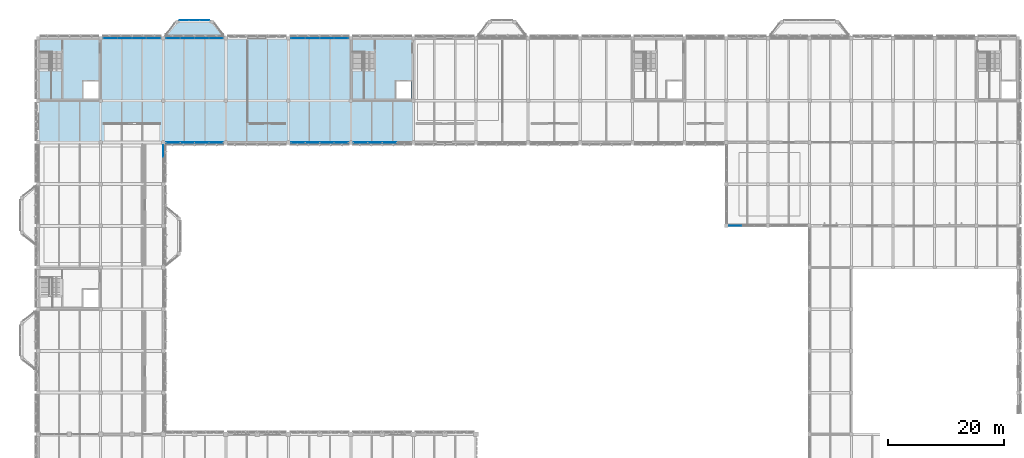
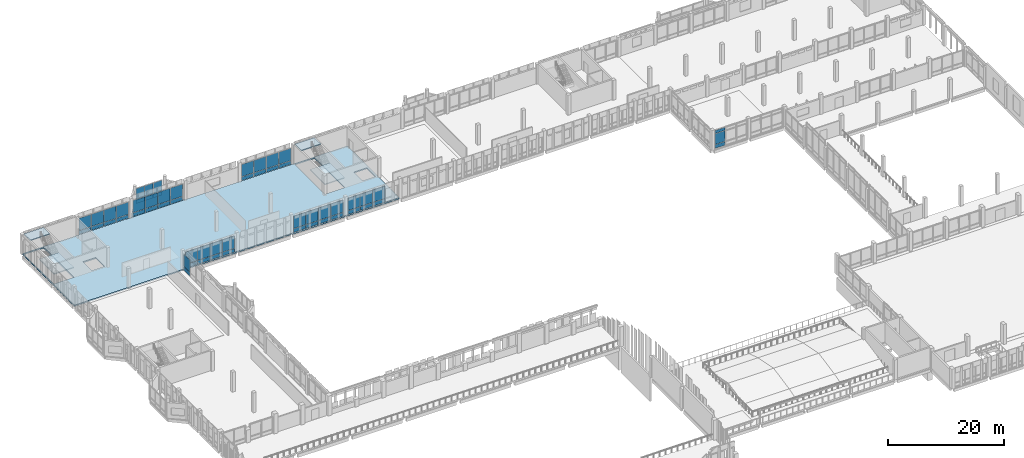
# One storey, part 123 of 158: 57 plates, 6 slabs, 11 elements without a shape of their own.
"""IFC4 building model written with IfcOpenShell, lengths in metres."""

from ifc_helpers import new_model, si_unit, direction, frame, origin, origin_2d, place, context, subcontext, project, spatial, polyline, rectangle, outline, extrude, material, layer, layer_set, type_object, element, aggregate, save


model = new_model("IFC4")

# Units and contexts
model_context = context("Model", 3, precision=1e-05, world=origin(), true_north=direction((0.0, 1.0)))
body_context = subcontext(model_context, "Body", "Model", "MODEL_VIEW")
ifc_project = project(units=[si_unit("LENGTHUNIT", "METRE"), si_unit("AREAUNIT", "SQUARE_METRE"), si_unit("VOLUMEUNIT", "CUBIC_METRE"), si_unit("PLANEANGLEUNIT", "RADIAN"), si_unit("MASSUNIT", "GRAM", prefix="KILO")], contexts=[model_context])

# Site, building, storey
site_placement = place(None, origin())
site = spatial("IfcSite", under=ifc_project, at=site_placement, CompositionType="ELEMENT")
building_placement = place(site_placement, origin())
building = spatial("IfcBuilding", under=site, at=building_placement, Name="Lusvemor Sports Hall", CompositionType="ELEMENT")
storey_placement = place(building_placement, frame((0.0, 0.0, 10.800048828125)))
storey = spatial("IfcBuildingStorey", under=building, at=storey_placement, Name="L02", CompositionType="ELEMENT", Elevation=10.800048828125)

# Curtain wall, plates
ifc_material_1 = material(Name="Thermally broken bronze-anodized aluminium", Category="aluminium")
curtain_wall_type_1 = type_object("IfcCurtainWallType", Name="CW_WING_B", PredefinedType="NOTDEFINED", material=ifc_material_1)
curtain_wall_1_placement = place(storey_placement, origin())
curtain_wall_1 = element("IfcCurtainWall", 1, at=curtain_wall_1_placement, inside=storey, type_object=curtain_wall_type_1, Name="Curtain Wall CW-L02-N-1-1", PredefinedType="NOTDEFINED")
ifc_material_2 = material(Name="Solar-control laminated double glazing", Category="glass")
ifc_layer_1 = layer(ifc_material_2, 0.028076171875)
ifc_layer_set_1 = layer_set([ifc_layer_1], Name="Solar-control laminated double glazing")
plate_type_1 = type_object("IfcPlateType", Name="CW_PAN_GLZ_28", PredefinedType="CURTAIN_PANEL", material=ifc_layer_set_1)
plate_1_placement = place(storey_placement, frame((12.481201171875, 115.199951171875, 0.8798828125), z_axis=(0.0, 0.0, 1.0), x_axis=(1.0, 0.0, 0.0)))
plate_1 = element("IfcPlate", 2, at=plate_1_placement, type_object=plate_type_1, Name="CW02 panel 1.2", PredefinedType="CURTAIN_PANEL", context=body_context, shape_type="SweptSolid", body=[
    extrude(rectangle(XDim=2.392578125, YDim=0.028076171875, at=origin_2d()), origin(), (0.0, 0.0, 1.0), 2.580078125),
])
plate_2_placement = place(storey_placement, frame((14.955078125, 115.199951171875, 0.8798828125), z_axis=(0.0, 0.0, 1.0), x_axis=(1.0, 0.0, 0.0)))
plate_2 = element("IfcPlate", 3, at=plate_2_placement, type_object=plate_type_1, Name="CW02 panel 2.2", PredefinedType="CURTAIN_PANEL", context=body_context, shape_type="SweptSolid", body=[
    extrude(rectangle(XDim=2.425048828125, YDim=0.028076171875, at=origin_2d()), origin(), (0.0, 0.0, 1.0), 2.580078125),
])
plate_3_placement = place(storey_placement, frame((17.445068359375, 115.199951171875, 0.8798828125), z_axis=(0.0, 0.0, 1.0), x_axis=(1.0, 0.0, 0.0)))
plate_3 = element("IfcPlate", 4, at=plate_3_placement, type_object=plate_type_1, Name="CW02 panel 3.2", PredefinedType="CURTAIN_PANEL", context=body_context, shape_type="SweptSolid", body=[
    extrude(rectangle(XDim=2.425048828125, YDim=0.028076171875, at=origin_2d()), origin(), (0.0, 0.0, 1.0), 2.580078125),
])
plate_4_placement = place(storey_placement, frame((19.918701171875, 115.199951171875, 0.8798828125), z_axis=(0.0, 0.0, 1.0), x_axis=(1.0, 0.0, 0.0)))
plate_4 = element("IfcPlate", 5, at=plate_4_placement, type_object=plate_type_1, Name="CW02 panel 4.2", PredefinedType="CURTAIN_PANEL", context=body_context, shape_type="SweptSolid", body=[
    extrude(rectangle(XDim=2.392578125, YDim=0.028076171875, at=origin_2d()), origin(), (0.0, 0.0, 1.0), 2.580078125),
])

curtain_wall_2_placement = place(storey_placement, origin())
curtain_wall_2 = element("IfcCurtainWall", 6, at=curtain_wall_2_placement, inside=storey, type_object=curtain_wall_type_1, Name="Curtain Wall CW-L02-N-1-2", PredefinedType="NOTDEFINED")
plate_5_placement = place(storey_placement, frame((23.28125, 115.199951171875, 0.8798828125), z_axis=(0.0, 0.0, 1.0), x_axis=(1.0, 0.0, 0.0)))
plate_5 = element("IfcPlate", 7, at=plate_5_placement, type_object=plate_type_1, Name="CW02 panel 1.2", PredefinedType="CURTAIN_PANEL", context=body_context, shape_type="SweptSolid", body=[
    extrude(rectangle(XDim=2.392578125, YDim=0.028076171875, at=origin_2d()), origin(), (0.0, 0.0, 1.0), 2.580078125),
])
plate_6_placement = place(storey_placement, frame((25.7548828125, 115.199951171875, 0.8798828125), z_axis=(0.0, 0.0, 1.0), x_axis=(1.0, 0.0, 0.0)))
plate_6 = element("IfcPlate", 8, at=plate_6_placement, type_object=plate_type_1, Name="CW02 panel 2.2", PredefinedType="CURTAIN_PANEL", context=body_context, shape_type="SweptSolid", body=[
    extrude(rectangle(XDim=2.425048828125, YDim=0.028076171875, at=origin_2d()), origin(), (0.0, 0.0, 1.0), 2.580078125),
])
plate_7_placement = place(storey_placement, frame((28.2451171875, 115.199951171875, 0.8798828125), z_axis=(0.0, 0.0, 1.0), x_axis=(1.0, 0.0, 0.0)))
plate_7 = element("IfcPlate", 9, at=plate_7_placement, type_object=plate_type_1, Name="CW02 panel 3.2", PredefinedType="CURTAIN_PANEL", context=body_context, shape_type="SweptSolid", body=[
    extrude(rectangle(XDim=2.425048828125, YDim=0.028076171875, at=origin_2d()), origin(), (0.0, 0.0, 1.0), 2.580078125),
])
plate_8_placement = place(storey_placement, frame((30.71875, 115.199951171875, 0.8798828125), z_axis=(0.0, 0.0, 1.0), x_axis=(1.0, 0.0, 0.0)))
plate_8 = element("IfcPlate", 10, at=plate_8_placement, type_object=plate_type_1, Name="CW02 panel 4.2", PredefinedType="CURTAIN_PANEL", context=body_context, shape_type="SweptSolid", body=[
    extrude(rectangle(XDim=2.392578125, YDim=0.028076171875, at=origin_2d()), origin(), (0.0, 0.0, 1.0), 2.580078125),
])

curtain_wall_3_placement = place(storey_placement, origin())
curtain_wall_3 = element("IfcCurtainWall", 11, at=curtain_wall_3_placement, inside=storey, type_object=curtain_wall_type_1, Name="Curtain Wall CW-L02-N-1-4", PredefinedType="NOTDEFINED")
plate_9_placement = place(storey_placement, frame((44.88134765625, 115.199951171875, 0.8798828125), z_axis=(0.0, 0.0, 1.0), x_axis=(1.0, 0.0, 0.0)))
plate_9 = element("IfcPlate", 12, at=plate_9_placement, type_object=plate_type_1, Name="CW02 panel 1.2", PredefinedType="CURTAIN_PANEL", context=body_context, shape_type="SweptSolid", body=[
    extrude(rectangle(XDim=2.392578125, YDim=0.028076171875, at=origin_2d()), origin(), (0.0, 0.0, 1.0), 2.580078125),
])
plate_10_placement = place(storey_placement, frame((47.35498046875, 115.199951171875, 0.8798828125), z_axis=(0.0, 0.0, 1.0), x_axis=(1.0, 0.0, 0.0)))
plate_10 = element("IfcPlate", 13, at=plate_10_placement, type_object=plate_type_1, Name="CW02 panel 2.2", PredefinedType="CURTAIN_PANEL", context=body_context, shape_type="SweptSolid", body=[
    extrude(rectangle(XDim=2.425048828125, YDim=0.028076171875, at=origin_2d()), origin(), (0.0, 0.0, 1.0), 2.580078125),
])
plate_11_placement = place(storey_placement, frame((49.844970703125, 115.199951171875, 0.8798828125), z_axis=(0.0, 0.0, 1.0), x_axis=(1.0, 0.0, 0.0)))
plate_11 = element("IfcPlate", 14, at=plate_11_placement, type_object=plate_type_1, Name="CW02 panel 3.2", PredefinedType="CURTAIN_PANEL", context=body_context, shape_type="SweptSolid", body=[
    extrude(rectangle(XDim=2.425048828125, YDim=0.028076171875, at=origin_2d()), origin(), (0.0, 0.0, 1.0), 2.580078125),
])
plate_12_placement = place(storey_placement, frame((52.31884765625, 115.199951171875, 0.8798828125), z_axis=(0.0, 0.0, 1.0), x_axis=(1.0, 0.0, 0.0)))
plate_12 = element("IfcPlate", 15, at=plate_12_placement, type_object=plate_type_1, Name="CW02 panel 4.2", PredefinedType="CURTAIN_PANEL", context=body_context, shape_type="SweptSolid", body=[
    extrude(rectangle(XDim=2.392578125, YDim=0.028076171875, at=origin_2d()), origin(), (0.0, 0.0, 1.0), 2.580078125),
])

curtain_wall_4_placement = place(storey_placement, origin())
curtain_wall_4 = element("IfcCurtainWall", 16, at=curtain_wall_4_placement, inside=storey, type_object=curtain_wall_type_1, Name="Curtain Wall CW-L02-S-3-0", PredefinedType="NOTDEFINED")
plate_13_placement = place(storey_placement, frame((30.71875, 97.199951171875, 0.8798828125), z_axis=(0.0, 0.0, 1.0), x_axis=(-1.0, 0.0, 0.0)))
plate_13 = element("IfcPlate", 17, at=plate_13_placement, type_object=plate_type_1, Name="CW02 panel 1.2", PredefinedType="CURTAIN_PANEL", context=body_context, shape_type="SweptSolid", body=[
    extrude(rectangle(XDim=2.392578125, YDim=0.028076171875, at=origin_2d()), origin(), (0.0, 0.0, 1.0), 2.580078125),
])
plate_14_placement = place(storey_placement, frame((28.2451171875, 97.199951171875, 0.8798828125), z_axis=(0.0, 0.0, 1.0), x_axis=(-1.0, 0.0, 0.0)))
plate_14 = element("IfcPlate", 18, at=plate_14_placement, type_object=plate_type_1, Name="CW02 panel 2.2", PredefinedType="CURTAIN_PANEL", context=body_context, shape_type="SweptSolid", body=[
    extrude(rectangle(XDim=2.425048828125, YDim=0.028076171875, at=origin_2d()), origin(), (0.0, 0.0, 1.0), 2.580078125),
])
plate_15_placement = place(storey_placement, frame((25.7548828125, 97.199951171875, 0.8798828125), z_axis=(0.0, 0.0, 1.0), x_axis=(-1.0, 0.0, 0.0)))
plate_15 = element("IfcPlate", 19, at=plate_15_placement, type_object=plate_type_1, Name="CW02 panel 3.2", PredefinedType="CURTAIN_PANEL", context=body_context, shape_type="SweptSolid", body=[
    extrude(rectangle(XDim=2.425048828125, YDim=0.028076171875, at=origin_2d()), origin(), (0.0, 0.0, 1.0), 2.580078125),
])
plate_16_placement = place(storey_placement, frame((23.28125, 97.199951171875, 0.8798828125), z_axis=(0.0, 0.0, 1.0), x_axis=(-1.0, 0.0, 0.0)))
plate_16 = element("IfcPlate", 20, at=plate_16_placement, type_object=plate_type_1, Name="CW02 panel 4.2", PredefinedType="CURTAIN_PANEL", context=body_context, shape_type="SweptSolid", body=[
    extrude(rectangle(XDim=2.392578125, YDim=0.028076171875, at=origin_2d()), origin(), (0.0, 0.0, 1.0), 2.580078125),
])

curtain_wall_5_placement = place(storey_placement, origin())
curtain_wall_5 = element("IfcCurtainWall", 21, at=curtain_wall_5_placement, inside=storey, type_object=curtain_wall_type_1, Name="Curtain Wall CW-L02-S-3-2", PredefinedType="NOTDEFINED")
plate_17_placement = place(storey_placement, frame((52.31884765625, 97.199951171875, 0.8798828125), z_axis=(0.0, 0.0, 1.0), x_axis=(-1.0, 0.0, 0.0)))
plate_17 = element("IfcPlate", 22, at=plate_17_placement, type_object=plate_type_1, Name="CW02 panel 1.2", PredefinedType="CURTAIN_PANEL", context=body_context, shape_type="SweptSolid", body=[
    extrude(rectangle(XDim=2.392578125, YDim=0.028076171875, at=origin_2d()), origin(), (0.0, 0.0, 1.0), 2.580078125),
])
plate_18_placement = place(storey_placement, frame((49.844970703125, 97.199951171875, 0.8798828125), z_axis=(0.0, 0.0, 1.0), x_axis=(-1.0, 0.0, 0.0)))
plate_18 = element("IfcPlate", 23, at=plate_18_placement, type_object=plate_type_1, Name="CW02 panel 2.2", PredefinedType="CURTAIN_PANEL", context=body_context, shape_type="SweptSolid", body=[
    extrude(rectangle(XDim=2.425048828125, YDim=0.028076171875, at=origin_2d()), origin(), (0.0, 0.0, 1.0), 2.580078125),
])
plate_19_placement = place(storey_placement, frame((47.35498046875, 97.199951171875, 0.8798828125), z_axis=(0.0, 0.0, 1.0), x_axis=(-1.0, 0.0, 0.0)))
plate_19 = element("IfcPlate", 24, at=plate_19_placement, type_object=plate_type_1, Name="CW02 panel 3.2", PredefinedType="CURTAIN_PANEL", context=body_context, shape_type="SweptSolid", body=[
    extrude(rectangle(XDim=2.425048828125, YDim=0.028076171875, at=origin_2d()), origin(), (0.0, 0.0, 1.0), 2.580078125),
])
plate_20_placement = place(storey_placement, frame((44.88134765625, 97.199951171875, 0.8798828125), z_axis=(0.0, 0.0, 1.0), x_axis=(-1.0, 0.0, 0.0)))
plate_20 = element("IfcPlate", 25, at=plate_20_placement, type_object=plate_type_1, Name="CW02 panel 4.2", PredefinedType="CURTAIN_PANEL", context=body_context, shape_type="SweptSolid", body=[
    extrude(rectangle(XDim=2.392578125, YDim=0.028076171875, at=origin_2d()), origin(), (0.0, 0.0, 1.0), 2.580078125),
])

curtain_wall_6_placement = place(storey_placement, origin())
curtain_wall_6 = element("IfcCurtainWall", 26, at=curtain_wall_6_placement, inside=storey, type_object=curtain_wall_type_1, Name="Curtain Wall CW-L02-S-3-3", PredefinedType="NOTDEFINED")
plate_21_placement = place(storey_placement, frame((60.64501953125, 97.199951171875, 0.8798828125), z_axis=(0.0, 0.0, 1.0), x_axis=(-1.0, 0.0, 0.0)))
plate_21 = element("IfcPlate", 27, at=plate_21_placement, type_object=plate_type_1, Name="CW02 panel 2.2", PredefinedType="CURTAIN_PANEL", context=body_context, shape_type="SweptSolid", body=[
    extrude(rectangle(XDim=2.425048828125, YDim=0.028076171875, at=origin_2d()), origin(), (0.0, 0.0, 1.0), 2.580078125),
])
plate_22_placement = place(storey_placement, frame((58.155029296875, 97.199951171875, 0.8798828125), z_axis=(0.0, 0.0, 1.0), x_axis=(-1.0, 0.0, 0.0)))
plate_22 = element("IfcPlate", 28, at=plate_22_placement, type_object=plate_type_1, Name="CW02 panel 3.2", PredefinedType="CURTAIN_PANEL", context=body_context, shape_type="SweptSolid", body=[
    extrude(rectangle(XDim=2.425048828125, YDim=0.028076171875, at=origin_2d()), origin(), (0.0, 0.0, 1.0), 2.580078125),
])
plate_23_placement = place(storey_placement, frame((55.68115234375, 97.199951171875, 0.8798828125), z_axis=(0.0, 0.0, 1.0), x_axis=(-1.0, 0.0, 0.0)))
plate_23 = element("IfcPlate", 29, at=plate_23_placement, type_object=plate_type_1, Name="CW02 panel 4.2", PredefinedType="CURTAIN_PANEL", context=body_context, shape_type="SweptSolid", body=[
    extrude(rectangle(XDim=2.392578125, YDim=0.028076171875, at=origin_2d()), origin(), (0.0, 0.0, 1.0), 2.580078125),
])

# Curtain wall, plate
curtain_wall_7_placement = place(storey_placement, origin())
curtain_wall_7 = element("IfcCurtainWall", 30, at=curtain_wall_7_placement, inside=storey, type_object=curtain_wall_type_1, Name="Curtain Wall CW-L02-E-5-6", PredefinedType="NOTDEFINED")
plate_24_placement = place(storey_placement, frame((21.60009765625, 95.703857421875, 0.8798828125), z_axis=(0.0, 0.0, 1.0), x_axis=(0.0, -1.0, 0.0)))
plate_24 = element("IfcPlate", 31, at=plate_24_placement, type_object=plate_type_1, Name="CW02 panel 1.2", PredefinedType="CURTAIN_PANEL", context=body_context, shape_type="SweptSolid", body=[
    extrude(rectangle(XDim=2.0224609375, YDim=0.028076171875, at=origin_2d()), origin(), (0.0, 0.0, 1.0), 2.580078125),
])

# Curtain wall, plates
ifc_material_3 = material(Name="Thermally broken bronze-anodized aluminium", Category="aluminium")
curtain_wall_type_2 = type_object("IfcCurtainWallType", Name="CW_FOYER_A", PredefinedType="NOTDEFINED", material=ifc_material_3)
curtain_wall_8_placement = place(storey_placement, origin())
curtain_wall_8 = element("IfcCurtainWall", 32, at=curtain_wall_8_placement, inside=storey, type_object=curtain_wall_type_2, Name="Curtain Wall CW-BOW-N1-L02-M", PredefinedType="NOTDEFINED")
plate_25_placement = place(storey_placement, frame((25.250732421875, 118.300048828125, 0.88232421875), z_axis=(0.0, 0.0, 1.0), x_axis=(1.0, 0.0, 0.0)))
plate_25 = element("IfcPlate", 33, at=plate_25_placement, type_object=plate_type_1, Name="CW01 panel 1.2", PredefinedType="CURTAIN_PANEL", context=body_context, shape_type="SweptSolid", body=[
    extrude(rectangle(XDim=1.66162109375, YDim=0.028076171875, at=origin_2d()), origin(), (0.0, 0.0, 1.0), 2.33251953125),
])
plate_26_placement = place(storey_placement, frame((27.0, 118.300048828125, 0.88232421875), z_axis=(0.0, 0.0, 1.0), x_axis=(1.0, 0.0, 0.0)))
plate_26 = element("IfcPlate", 34, at=plate_26_placement, type_object=plate_type_1, Name="CW01 panel 2.2", PredefinedType="CURTAIN_PANEL", context=body_context, shape_type="SweptSolid", body=[
    extrude(rectangle(XDim=1.69677734375, YDim=0.028076171875, at=origin_2d()), origin(), (0.0, 0.0, 1.0), 2.33251953125),
])
plate_27_placement = place(storey_placement, frame((28.749267578125, 118.300048828125, 0.88232421875), z_axis=(0.0, 0.0, 1.0), x_axis=(1.0, 0.0, 0.0)))
plate_27 = element("IfcPlate", 35, at=plate_27_placement, type_object=plate_type_1, Name="CW01 panel 3.2", PredefinedType="CURTAIN_PANEL", context=body_context, shape_type="SweptSolid", body=[
    extrude(rectangle(XDim=1.66162109375, YDim=0.028076171875, at=origin_2d()), origin(), (0.0, 0.0, 1.0), 2.33251953125),
])

curtain_wall_9_placement = place(storey_placement, origin())
curtain_wall_9 = element("IfcCurtainWall", 36, at=curtain_wall_9_placement, inside=storey, type_object=curtain_wall_type_1, Name="Curtain Wall CW-V5NE-S-L02-B", PredefinedType="NOTDEFINED")
plate_28_placement = place(storey_placement, frame((120.331298828125, 82.800048828125, 0.830078125), z_axis=(0.0, 0.0, 1.0), x_axis=(-1.0, 0.0, 0.0)))
plate_28 = element("IfcPlate", 37, at=plate_28_placement, type_object=plate_type_1, Name="CW02 panel 3.2", PredefinedType="CURTAIN_PANEL", context=body_context, shape_type="SweptSolid", body=[
    extrude(rectangle(XDim=2.052490234375, YDim=0.028076171875, at=origin_2d()), origin(), (0.0, 0.0, 1.0), 2.239990234375),
])
plate_29_placement = place(storey_placement, frame((120.331298828125, 82.800048828125, 3.1298828125), z_axis=(0.0, 0.0, 1.0), x_axis=(-1.0, 0.0, 0.0)))
plate_29 = element("IfcPlate", 38, at=plate_29_placement, type_object=plate_type_1, Name="CW02 panel 3.3", PredefinedType="CURTAIN_PANEL", context=body_context, shape_type="SweptSolid", body=[
    extrude(rectangle(XDim=2.052490234375, YDim=0.028076171875, at=origin_2d()), origin(), (0.0, 0.0, 1.0), 0.659912109375),
])

# Plate
ifc_material_4 = material(Name="Emerald polychrome glazed ceramic cladding on Concrete C40/50 backing", Category="concrete")
ifc_layer_2 = layer(ifc_material_4, 0.048095703125)
ifc_layer_set_2 = layer_set([ifc_layer_2], Name="Emerald polychrome glazed ceramic cladding on Concrete C40/50 backing")
plate_type_2 = type_object("IfcPlateType", Name="CW_PAN_SPN_48", PredefinedType="CURTAIN_PANEL", material=ifc_layer_set_2)
plate_30_placement = place(storey_placement, frame((12.481201171875, 115.199951171875, 0.06005859375), z_axis=(0.0, 0.0, 1.0), x_axis=(1.0, 0.0, 0.0)))
plate_30 = element("IfcPlate", 39, at=plate_30_placement, type_object=plate_type_2, Name="CW02 panel 1.1", PredefinedType="CURTAIN_PANEL", context=body_context, shape_type="SweptSolid", body=[
    extrude(rectangle(XDim=2.392578125, YDim=0.048095703125, at=origin_2d()), origin(), (0.0, 0.0, 1.0), 0.760009765625),
])

plate_31_placement = place(storey_placement, frame((14.955078125, 115.199951171875, 0.06005859375), z_axis=(0.0, 0.0, 1.0), x_axis=(1.0, 0.0, 0.0)))
plate_31 = element("IfcPlate", 40, at=plate_31_placement, type_object=plate_type_2, Name="CW02 panel 2.1", PredefinedType="CURTAIN_PANEL", context=body_context, shape_type="SweptSolid", body=[
    extrude(rectangle(XDim=2.425048828125, YDim=0.048095703125, at=origin_2d()), origin(), (0.0, 0.0, 1.0), 0.760009765625),
])

plate_32_placement = place(storey_placement, frame((17.445068359375, 115.199951171875, 0.06005859375), z_axis=(0.0, 0.0, 1.0), x_axis=(1.0, 0.0, 0.0)))
plate_32 = element("IfcPlate", 41, at=plate_32_placement, type_object=plate_type_2, Name="CW02 panel 3.1", PredefinedType="CURTAIN_PANEL", context=body_context, shape_type="SweptSolid", body=[
    extrude(rectangle(XDim=2.425048828125, YDim=0.048095703125, at=origin_2d()), origin(), (0.0, 0.0, 1.0), 0.760009765625),
])

plate_33_placement = place(storey_placement, frame((19.918701171875, 115.199951171875, 0.06005859375), z_axis=(0.0, 0.0, 1.0), x_axis=(1.0, 0.0, 0.0)))
plate_33 = element("IfcPlate", 42, at=plate_33_placement, type_object=plate_type_2, Name="CW02 panel 4.1", PredefinedType="CURTAIN_PANEL", context=body_context, shape_type="SweptSolid", body=[
    extrude(rectangle(XDim=2.392578125, YDim=0.048095703125, at=origin_2d()), origin(), (0.0, 0.0, 1.0), 0.760009765625),
])

aggregate(curtain_wall_1, [plate_30, plate_1, plate_31, plate_2, plate_32, plate_3, plate_33, plate_4])

plate_34_placement = place(storey_placement, frame((23.28125, 115.199951171875, 0.06005859375), z_axis=(0.0, 0.0, 1.0), x_axis=(1.0, 0.0, 0.0)))
plate_34 = element("IfcPlate", 43, at=plate_34_placement, type_object=plate_type_2, Name="CW02 panel 1.1", PredefinedType="CURTAIN_PANEL", context=body_context, shape_type="SweptSolid", body=[
    extrude(rectangle(XDim=2.392578125, YDim=0.048095703125, at=origin_2d()), origin(), (0.0, 0.0, 1.0), 0.760009765625),
])

plate_35_placement = place(storey_placement, frame((25.7548828125, 115.199951171875, 0.06005859375), z_axis=(0.0, 0.0, 1.0), x_axis=(1.0, 0.0, 0.0)))
plate_35 = element("IfcPlate", 44, at=plate_35_placement, type_object=plate_type_2, Name="CW02 panel 2.1", PredefinedType="CURTAIN_PANEL", context=body_context, shape_type="SweptSolid", body=[
    extrude(rectangle(XDim=2.425048828125, YDim=0.048095703125, at=origin_2d()), origin(), (0.0, 0.0, 1.0), 0.760009765625),
])

plate_36_placement = place(storey_placement, frame((28.2451171875, 115.199951171875, 0.06005859375), z_axis=(0.0, 0.0, 1.0), x_axis=(1.0, 0.0, 0.0)))
plate_36 = element("IfcPlate", 45, at=plate_36_placement, type_object=plate_type_2, Name="CW02 panel 3.1", PredefinedType="CURTAIN_PANEL", context=body_context, shape_type="SweptSolid", body=[
    extrude(rectangle(XDim=2.425048828125, YDim=0.048095703125, at=origin_2d()), origin(), (0.0, 0.0, 1.0), 0.760009765625),
])

plate_37_placement = place(storey_placement, frame((30.71875, 115.199951171875, 0.06005859375), z_axis=(0.0, 0.0, 1.0), x_axis=(1.0, 0.0, 0.0)))
plate_37 = element("IfcPlate", 46, at=plate_37_placement, type_object=plate_type_2, Name="CW02 panel 4.1", PredefinedType="CURTAIN_PANEL", context=body_context, shape_type="SweptSolid", body=[
    extrude(rectangle(XDim=2.392578125, YDim=0.048095703125, at=origin_2d()), origin(), (0.0, 0.0, 1.0), 0.760009765625),
])

aggregate(curtain_wall_2, [plate_34, plate_5, plate_35, plate_6, plate_36, plate_7, plate_37, plate_8])

plate_38_placement = place(storey_placement, frame((44.88134765625, 115.199951171875, 0.06005859375), z_axis=(0.0, 0.0, 1.0), x_axis=(1.0, 0.0, 0.0)))
plate_38 = element("IfcPlate", 47, at=plate_38_placement, type_object=plate_type_2, Name="CW02 panel 1.1", PredefinedType="CURTAIN_PANEL", context=body_context, shape_type="SweptSolid", body=[
    extrude(rectangle(XDim=2.392578125, YDim=0.048095703125, at=origin_2d()), origin(), (0.0, 0.0, 1.0), 0.760009765625),
])

plate_39_placement = place(storey_placement, frame((47.35498046875, 115.199951171875, 0.06005859375), z_axis=(0.0, 0.0, 1.0), x_axis=(1.0, 0.0, 0.0)))
plate_39 = element("IfcPlate", 48, at=plate_39_placement, type_object=plate_type_2, Name="CW02 panel 2.1", PredefinedType="CURTAIN_PANEL", context=body_context, shape_type="SweptSolid", body=[
    extrude(rectangle(XDim=2.425048828125, YDim=0.048095703125, at=origin_2d()), origin(), (0.0, 0.0, 1.0), 0.760009765625),
])

plate_40_placement = place(storey_placement, frame((49.844970703125, 115.199951171875, 0.06005859375), z_axis=(0.0, 0.0, 1.0), x_axis=(1.0, 0.0, 0.0)))
plate_40 = element("IfcPlate", 49, at=plate_40_placement, type_object=plate_type_2, Name="CW02 panel 3.1", PredefinedType="CURTAIN_PANEL", context=body_context, shape_type="SweptSolid", body=[
    extrude(rectangle(XDim=2.425048828125, YDim=0.048095703125, at=origin_2d()), origin(), (0.0, 0.0, 1.0), 0.760009765625),
])

plate_41_placement = place(storey_placement, frame((52.31884765625, 115.199951171875, 0.06005859375), z_axis=(0.0, 0.0, 1.0), x_axis=(1.0, 0.0, 0.0)))
plate_41 = element("IfcPlate", 50, at=plate_41_placement, type_object=plate_type_2, Name="CW02 panel 4.1", PredefinedType="CURTAIN_PANEL", context=body_context, shape_type="SweptSolid", body=[
    extrude(rectangle(XDim=2.392578125, YDim=0.048095703125, at=origin_2d()), origin(), (0.0, 0.0, 1.0), 0.760009765625),
])

aggregate(curtain_wall_3, [plate_38, plate_9, plate_39, plate_10, plate_40, plate_11, plate_41, plate_12])

plate_42_placement = place(storey_placement, frame((30.71875, 97.199951171875, 0.06005859375), z_axis=(0.0, 0.0, 1.0), x_axis=(-1.0, 0.0, 0.0)))
plate_42 = element("IfcPlate", 51, at=plate_42_placement, type_object=plate_type_2, Name="CW02 panel 1.1", PredefinedType="CURTAIN_PANEL", context=body_context, shape_type="SweptSolid", body=[
    extrude(rectangle(XDim=2.392578125, YDim=0.048095703125, at=origin_2d()), origin(), (0.0, 0.0, 1.0), 0.760009765625),
])

plate_43_placement = place(storey_placement, frame((28.2451171875, 97.199951171875, 0.06005859375), z_axis=(0.0, 0.0, 1.0), x_axis=(-1.0, 0.0, 0.0)))
plate_43 = element("IfcPlate", 52, at=plate_43_placement, type_object=plate_type_2, Name="CW02 panel 2.1", PredefinedType="CURTAIN_PANEL", context=body_context, shape_type="SweptSolid", body=[
    extrude(rectangle(XDim=2.425048828125, YDim=0.048095703125, at=origin_2d()), origin(), (0.0, 0.0, 1.0), 0.760009765625),
])

plate_44_placement = place(storey_placement, frame((25.7548828125, 97.199951171875, 0.06005859375), z_axis=(0.0, 0.0, 1.0), x_axis=(-1.0, 0.0, 0.0)))
plate_44 = element("IfcPlate", 53, at=plate_44_placement, type_object=plate_type_2, Name="CW02 panel 3.1", PredefinedType="CURTAIN_PANEL", context=body_context, shape_type="SweptSolid", body=[
    extrude(rectangle(XDim=2.425048828125, YDim=0.048095703125, at=origin_2d()), origin(), (0.0, 0.0, 1.0), 0.760009765625),
])

plate_45_placement = place(storey_placement, frame((23.28125, 97.199951171875, 0.06005859375), z_axis=(0.0, 0.0, 1.0), x_axis=(-1.0, 0.0, 0.0)))
plate_45 = element("IfcPlate", 54, at=plate_45_placement, type_object=plate_type_2, Name="CW02 panel 4.1", PredefinedType="CURTAIN_PANEL", context=body_context, shape_type="SweptSolid", body=[
    extrude(rectangle(XDim=2.392578125, YDim=0.048095703125, at=origin_2d()), origin(), (0.0, 0.0, 1.0), 0.760009765625),
])

aggregate(curtain_wall_4, [plate_42, plate_13, plate_43, plate_14, plate_44, plate_15, plate_45, plate_16])

plate_46_placement = place(storey_placement, frame((52.31884765625, 97.199951171875, 0.06005859375), z_axis=(0.0, 0.0, 1.0), x_axis=(-1.0, 0.0, 0.0)))
plate_46 = element("IfcPlate", 55, at=plate_46_placement, type_object=plate_type_2, Name="CW02 panel 1.1", PredefinedType="CURTAIN_PANEL", context=body_context, shape_type="SweptSolid", body=[
    extrude(rectangle(XDim=2.392578125, YDim=0.048095703125, at=origin_2d()), origin(), (0.0, 0.0, 1.0), 0.760009765625),
])

plate_47_placement = place(storey_placement, frame((49.844970703125, 97.199951171875, 0.06005859375), z_axis=(0.0, 0.0, 1.0), x_axis=(-1.0, 0.0, 0.0)))
plate_47 = element("IfcPlate", 56, at=plate_47_placement, type_object=plate_type_2, Name="CW02 panel 2.1", PredefinedType="CURTAIN_PANEL", context=body_context, shape_type="SweptSolid", body=[
    extrude(rectangle(XDim=2.425048828125, YDim=0.048095703125, at=origin_2d()), origin(), (0.0, 0.0, 1.0), 0.760009765625),
])

plate_48_placement = place(storey_placement, frame((47.35498046875, 97.199951171875, 0.06005859375), z_axis=(0.0, 0.0, 1.0), x_axis=(-1.0, 0.0, 0.0)))
plate_48 = element("IfcPlate", 57, at=plate_48_placement, type_object=plate_type_2, Name="CW02 panel 3.1", PredefinedType="CURTAIN_PANEL", context=body_context, shape_type="SweptSolid", body=[
    extrude(rectangle(XDim=2.425048828125, YDim=0.048095703125, at=origin_2d()), origin(), (0.0, 0.0, 1.0), 0.760009765625),
])

plate_49_placement = place(storey_placement, frame((44.88134765625, 97.199951171875, 0.06005859375), z_axis=(0.0, 0.0, 1.0), x_axis=(-1.0, 0.0, 0.0)))
plate_49 = element("IfcPlate", 58, at=plate_49_placement, type_object=plate_type_2, Name="CW02 panel 4.1", PredefinedType="CURTAIN_PANEL", context=body_context, shape_type="SweptSolid", body=[
    extrude(rectangle(XDim=2.392578125, YDim=0.048095703125, at=origin_2d()), origin(), (0.0, 0.0, 1.0), 0.760009765625),
])

aggregate(curtain_wall_5, [plate_46, plate_17, plate_47, plate_18, plate_48, plate_19, plate_49, plate_20])

plate_50_placement = place(storey_placement, frame((60.64501953125, 97.199951171875, 0.06005859375), z_axis=(0.0, 0.0, 1.0), x_axis=(-1.0, 0.0, 0.0)))
plate_50 = element("IfcPlate", 59, at=plate_50_placement, type_object=plate_type_2, Name="CW02 panel 2.1", PredefinedType="CURTAIN_PANEL", context=body_context, shape_type="SweptSolid", body=[
    extrude(rectangle(XDim=2.425048828125, YDim=0.048095703125, at=origin_2d()), origin(), (0.0, 0.0, 1.0), 0.760009765625),
])

plate_51_placement = place(storey_placement, frame((58.155029296875, 97.199951171875, 0.06005859375), z_axis=(0.0, 0.0, 1.0), x_axis=(-1.0, 0.0, 0.0)))
plate_51 = element("IfcPlate", 60, at=plate_51_placement, type_object=plate_type_2, Name="CW02 panel 3.1", PredefinedType="CURTAIN_PANEL", context=body_context, shape_type="SweptSolid", body=[
    extrude(rectangle(XDim=2.425048828125, YDim=0.048095703125, at=origin_2d()), origin(), (0.0, 0.0, 1.0), 0.760009765625),
])

plate_52_placement = place(storey_placement, frame((55.68115234375, 97.199951171875, 0.06005859375), z_axis=(0.0, 0.0, 1.0), x_axis=(-1.0, 0.0, 0.0)))
plate_52 = element("IfcPlate", 61, at=plate_52_placement, type_object=plate_type_2, Name="CW02 panel 4.1", PredefinedType="CURTAIN_PANEL", context=body_context, shape_type="SweptSolid", body=[
    extrude(rectangle(XDim=2.392578125, YDim=0.048095703125, at=origin_2d()), origin(), (0.0, 0.0, 1.0), 0.760009765625),
])

aggregate(curtain_wall_6, [plate_50, plate_21, plate_51, plate_22, plate_52, plate_23])

plate_53_placement = place(storey_placement, frame((21.60009765625, 95.703857421875, 0.06005859375), z_axis=(0.0, 0.0, 1.0), x_axis=(0.0, -1.0, 0.0)))
plate_53 = element("IfcPlate", 62, at=plate_53_placement, type_object=plate_type_2, Name="CW02 panel 1.1", PredefinedType="CURTAIN_PANEL", context=body_context, shape_type="SweptSolid", body=[
    extrude(rectangle(XDim=2.0224609375, YDim=0.048095703125, at=origin_2d()), origin(), (0.0, 0.0, 1.0), 0.760009765625),
])

aggregate(curtain_wall_7, [plate_53, plate_24])

plate_54_placement = place(storey_placement, frame((25.250732421875, 118.300048828125, 0.06494140625), z_axis=(0.0, 0.0, 1.0), x_axis=(1.0, 0.0, 0.0)))
plate_54 = element("IfcPlate", 63, at=plate_54_placement, type_object=plate_type_2, Name="CW01 panel 1.1", PredefinedType="CURTAIN_PANEL", context=body_context, shape_type="SweptSolid", body=[
    extrude(rectangle(XDim=1.66162109375, YDim=0.048095703125, at=origin_2d()), origin(), (0.0, 0.0, 1.0), 0.75244140625),
])

plate_55_placement = place(storey_placement, frame((27.0, 118.300048828125, 0.06494140625), z_axis=(0.0, 0.0, 1.0), x_axis=(1.0, 0.0, 0.0)))
plate_55 = element("IfcPlate", 64, at=plate_55_placement, type_object=plate_type_2, Name="CW01 panel 2.1", PredefinedType="CURTAIN_PANEL", context=body_context, shape_type="SweptSolid", body=[
    extrude(rectangle(XDim=1.69677734375, YDim=0.048095703125, at=origin_2d()), origin(), (0.0, 0.0, 1.0), 0.75244140625),
])

plate_56_placement = place(storey_placement, frame((28.749267578125, 118.300048828125, 0.06494140625), z_axis=(0.0, 0.0, 1.0), x_axis=(1.0, 0.0, 0.0)))
plate_56 = element("IfcPlate", 65, at=plate_56_placement, type_object=plate_type_2, Name="CW01 panel 3.1", PredefinedType="CURTAIN_PANEL", context=body_context, shape_type="SweptSolid", body=[
    extrude(rectangle(XDim=1.66162109375, YDim=0.048095703125, at=origin_2d()), origin(), (0.0, 0.0, 1.0), 0.75244140625),
])

aggregate(curtain_wall_8, [plate_54, plate_25, plate_55, plate_26, plate_56, plate_27])

plate_57_placement = place(storey_placement, frame((120.331298828125, 82.800048828125, 0.009765625), z_axis=(0.0, 0.0, 1.0), x_axis=(-1.0, 0.0, 0.0)))
plate_57 = element("IfcPlate", 66, at=plate_57_placement, type_object=plate_type_2, Name="CW02 panel 3.1", PredefinedType="CURTAIN_PANEL", context=body_context, shape_type="SweptSolid", body=[
    extrude(rectangle(XDim=2.052490234375, YDim=0.048095703125, at=origin_2d()), origin(), (0.0, 0.0, 1.0), 0.760009765625),
])

aggregate(curtain_wall_9, [plate_57, plate_28, plate_29])

# Slabs
ifc_material_5 = material(Name="Concrete C40/50", Category="concrete")
ifc_layer_3 = layer(ifc_material_5, 0.260009765625)
ifc_layer_set_3 = layer_set([ifc_layer_3], Name="Concrete C40/50")
slab_type_1 = type_object("IfcSlabType", Name="SLAB_INT_260", PredefinedType="FLOOR", material=ifc_layer_set_3)
slab_1_placement = place(storey_placement, frame((0.0, 0.0, -0.260009765625)))
element("IfcSlab", 67, at=slab_1_placement, inside=storey, type_object=slab_type_1, Name="Slab L02 V5-NW", PredefinedType="FLOOR", context=body_context, shape_type="SweptSolid", body=[
    extrude(outline(polyline([(0.0, 97.199951171875), (64.800048828125, 97.199951171875), (64.800048828125, 115.199951171875), (0.0, 115.199951171875), (0.0, 97.199951171875)]), holes=[polyline([(0.159912109375, 104.56005859375), (4.139892578125, 104.56005859375), (4.139892578125, 115.0400390625), (0.159912109375, 115.0400390625), (0.159912109375, 104.56005859375)]), polyline([(7.800048828125, 104.800048828125), (10.39990234375, 104.800048828125), (10.39990234375, 107.800048828125), (7.800048828125, 107.800048828125), (7.800048828125, 104.800048828125)]), polyline([(54.159912109375, 104.56005859375), (58.139892578125, 104.56005859375), (58.139892578125, 115.0400390625), (54.159912109375, 115.0400390625), (54.159912109375, 104.56005859375)]), polyline([(61.800048828125, 104.800048828125), (64.39990234375, 104.800048828125), (64.39990234375, 107.800048828125), (61.800048828125, 107.800048828125), (61.800048828125, 104.800048828125)])]), origin(), (0.0, 0.0, 1.0), 0.260009765625),
])
slab_2_placement = place(storey_placement, frame((0.0, 0.0, -0.260009765625)))
element("IfcSlab", 68, at=slab_2_placement, inside=storey, type_object=slab_type_1, Name="Bow Pavilion Slab BOW-N1 (L02)", PredefinedType="FLOOR", context=body_context, shape_type="SweptSolid", body=[
    extrude(outline(polyline([(21.60009765625, 115.199951171875), (24.0, 118.300048828125), (30.0, 118.300048828125), (32.39990234375, 115.199951171875), (21.60009765625, 115.199951171875)])), origin(), (0.0, 0.0, 1.0), 0.260009765625),
])

# Stair, slabs
ifc_material_6 = material(Name="Concrete C40/50", Category="concrete")
stair_type = type_object("IfcStairType", Name="STAIR_CORE_420", PredefinedType="HALF_TURN_STAIR", material=ifc_material_6)
stair_1_placement = place(storey_placement, origin())
stair_1 = element("IfcStair", 69, at=stair_1_placement, inside=storey, type_object=stair_type, Name="Escape Stair C1 (L02)", PredefinedType="HALF_TURN_STAIR")
ifc_material_7 = material(Name="Concrete C40/50", Category="concrete")
ifc_layer_4 = layer(ifc_material_7, 0.199951171875)
ifc_layer_set_4 = layer_set([ifc_layer_4], Name="Concrete C40/50")
slab_type_2 = type_object("IfcSlabType", Name="SLAB_LAND_200", PredefinedType="LANDING", material=ifc_layer_set_4)
slab_3_placement = place(storey_placement, frame((0.0, 0.0, 1.89990234375)))
slab_3 = element("IfcSlab", 70, at=slab_3_placement, type_object=slab_type_2, Name="ST02 landing 1", PredefinedType="LANDING", context=body_context, shape_type="SweptSolid", body=[
    extrude(outline(polyline([(0.179931640625, 104.580078125), (4.1201171875, 104.580078125), (4.1201171875, 109.699951171875), (0.179931640625, 109.699951171875), (0.179931640625, 104.580078125)])), origin(), (0.0, 0.0, 1.0), 0.199951171875),
])
slab_4_placement = place(storey_placement, frame((0.0, 0.0, 4.0)))
slab_4 = element("IfcSlab", 71, at=slab_4_placement, type_object=slab_type_2, Name="ST02 landing 2", PredefinedType="LANDING", context=body_context, shape_type="SweptSolid", body=[
    extrude(outline(polyline([(0.179931640625, 112.81005859375), (4.1201171875, 112.81005859375), (4.1201171875, 115.02001953125), (0.179931640625, 115.02001953125), (0.179931640625, 112.81005859375)])), origin(), (0.0, 0.0, 1.0), 0.199951171875),
])
aggregate(stair_1, [slab_3, slab_4])

stair_2_placement = place(storey_placement, origin())
stair_2 = element("IfcStair", 72, at=stair_2_placement, inside=storey, type_object=stair_type, Name="Escape Stair C2 (L02)", PredefinedType="HALF_TURN_STAIR")
slab_5_placement = place(storey_placement, frame((0.0, 0.0, 1.89990234375)))
slab_5 = element("IfcSlab", 73, at=slab_5_placement, type_object=slab_type_2, Name="ST02 landing 1", PredefinedType="LANDING", context=body_context, shape_type="SweptSolid", body=[
    extrude(outline(polyline([(54.179931640625, 104.580078125), (58.1201171875, 104.580078125), (58.1201171875, 109.699951171875), (54.179931640625, 109.699951171875), (54.179931640625, 104.580078125)])), origin(), (0.0, 0.0, 1.0), 0.199951171875),
])
slab_6_placement = place(storey_placement, frame((0.0, 0.0, 4.0)))
slab_6 = element("IfcSlab", 74, at=slab_6_placement, type_object=slab_type_2, Name="ST02 landing 2", PredefinedType="LANDING", context=body_context, shape_type="SweptSolid", body=[
    extrude(outline(polyline([(54.179931640625, 112.81005859375), (58.1201171875, 112.81005859375), (58.1201171875, 115.02001953125), (54.179931640625, 115.02001953125), (54.179931640625, 112.81005859375)])), origin(), (0.0, 0.0, 1.0), 0.199951171875),
])
aggregate(stair_2, [slab_5, slab_6])

save(model, "model.ifc")
